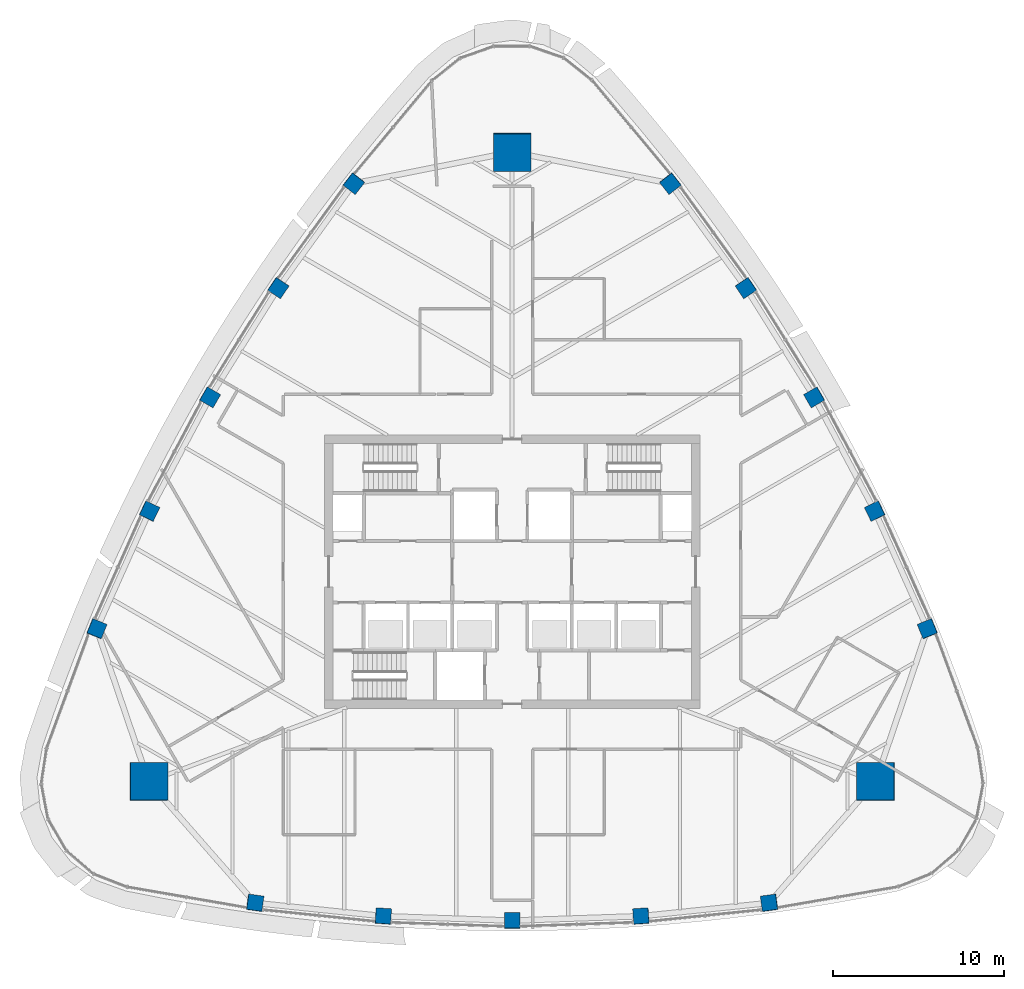
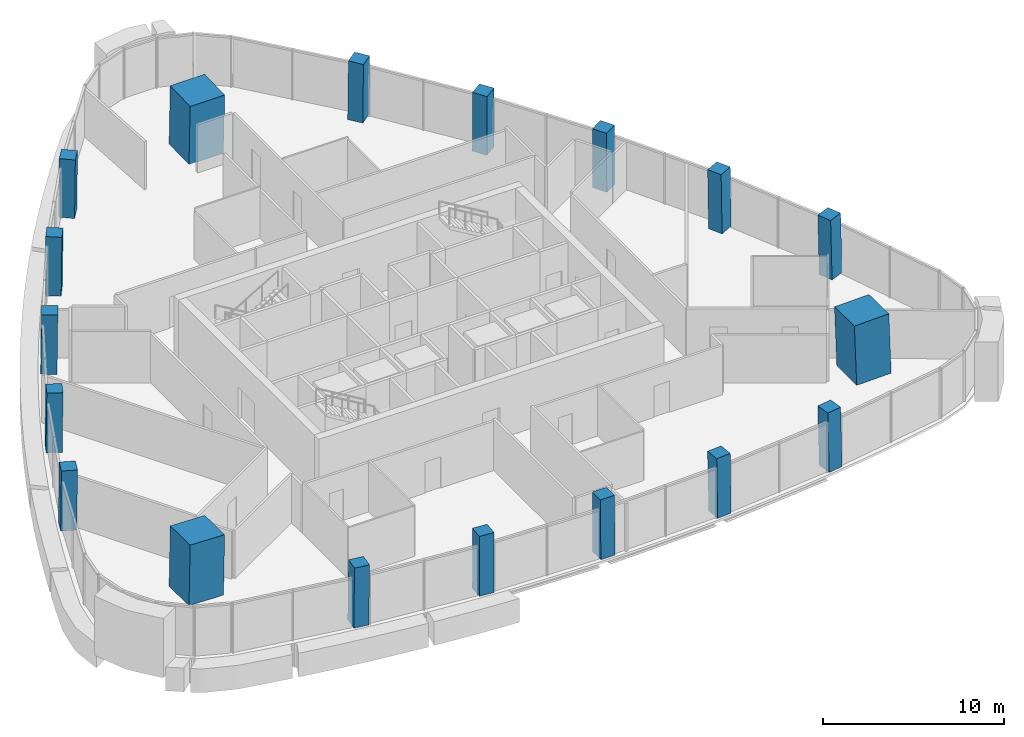
# One storey, part 1 of 15: 18 columns.
"""IFC4 building model written with IfcOpenShell, lengths in metres."""

from ifc_helpers import new_model, si_unit, direction, frame, origin, origin_2d, place, context, subcontext, project, spatial, rectangle, extrude, material, material_profile, profile_set, type_object, element, save


model = new_model("IFC4")

# Units and contexts
model_context = context("Model", 3, precision=1e-05, world=origin(), true_north=direction((0.0, 1.0)))
body_context = subcontext(model_context, "Body", "Model", "MODEL_VIEW")
ifc_project = project(units=[si_unit("LENGTHUNIT", "METRE"), si_unit("AREAUNIT", "SQUARE_METRE"), si_unit("VOLUMEUNIT", "CUBIC_METRE"), si_unit("PLANEANGLEUNIT", "RADIAN"), si_unit("MASSUNIT", "GRAM", prefix="KILO")], contexts=[model_context])

# Site, building, storey
site_placement = place(None, origin())
site = spatial("IfcSite", under=ifc_project, at=site_placement, CompositionType="ELEMENT")
building_placement = place(site_placement, origin())
building = spatial("IfcBuilding", under=site, at=building_placement, Name="Sierra Prisma Convention Tower", CompositionType="ELEMENT")
storey_placement = place(building_placement, frame((0.0, 0.0, 267.0)))
storey = spatial("IfcBuildingStorey", under=building, at=storey_placement, Name="L60", CompositionType="ELEMENT", Elevation=267.0)

# Columns
ifc_material_1 = material(Name="Concrete C50/60", Category="concrete")
ifc_material_profile_1 = material_profile(ifc_material_1, rectangle(XDim=2.199951171875, YDim=2.199951171875, at=origin_2d()), Name="Mega column RC 2200 C50/60")
ifc_profile_set_1 = profile_set([ifc_material_profile_1], Name="Concrete C50/60")
column_type_1 = type_object("IfcColumnType", Name="Mega column RC 2200 C50/60", PredefinedType="COLUMN", material=ifc_profile_set_1)
for number, where, z_axis, x_axis, name in (
    (1, (21.289306640625, -12.291259765625, 0.0), (-0.027817676907, 0.016043967164, 0.999484250986), (0.999613013546, 0.000446478676, 0.027814093645), "Mega column SE L60"),
    (2, (0.0, 24.58251953125, 0.0), (0.0, -0.032087959942, 0.999485048826), (1.0, 0.0, 0.0), "Mega column N L60"),
    (3, (-21.289306640625, -12.291259765625, 0.0), (0.027817676907, 0.016043967164, 0.999484250986), (0.999613013546, -0.000446478676, -0.027814093645), "Mega column SW L60"),
):
    element("IfcColumn", number, at=place(storey_placement, frame(where, z_axis=z_axis, x_axis=x_axis)), inside=storey, type_object=column_type_1, Name=name, PredefinedType="COLUMN", context=body_context, shape_type="SweptSolid", body=[
        extrude(rectangle(XDim=2.199951171875, YDim=2.199951171875, at=origin_2d()), origin(), (0.0, 0.0, 1.0), 4.001953125),
    ])
ifc_material_2 = material(Name="Concrete C50/60", Category="concrete")
ifc_material_profile_2 = material_profile(ifc_material_2, rectangle(XDim=0.89990234375, YDim=0.89990234375, at=origin_2d()), Name="Perimeter column RC 900 C50/60")
ifc_profile_set_2 = profile_set([ifc_material_profile_2], Name="Concrete C50/60")
column_type_2 = type_object("IfcColumnType", Name="Perimeter column RC 900 C50/60", PredefinedType="COLUMN", material=ifc_profile_set_2)
column_1_placement = place(storey_placement, frame((-15.06103515625, -19.397216796875, 0.0), z_axis=(0.017513460473, 0.010373826761, 0.999792809746), x_axis=(-0.990460641206, 0.136872055139, 0.015929806803)))
element("IfcColumn", 4, at=column_1_placement, inside=storey, type_object=column_type_2, Name="Perimeter column S-1 L60", PredefinedType="COLUMN", context=body_context, shape_type="SweptSolid", body=[
    extrude(rectangle(XDim=0.89990234375, YDim=0.89990234375, at=origin_2d()), origin(), (0.0, 0.0, 1.0), 4.000732421875),
])
column_2_placement = place(storey_placement, frame((-7.548095703125, -20.172607421875, 0.0), z_axis=(0.008727150594, 0.011168311599, 0.999899547784), x_axis=(-0.99761245007, 0.068602777077, 0.00794093458)))
element("IfcColumn", 5, at=column_2_placement, inside=storey, type_object=column_type_2, Name="Perimeter column S-2 L60", PredefinedType="COLUMN", context=body_context, shape_type="SweptSolid", body=[
    extrude(rectangle(XDim=0.89990234375, YDim=0.89990234375, at=origin_2d()), origin(), (0.0, 0.0, 1.0), 4.00048828125),
])
column_3_placement = place(storey_placement, frame((0.0, -20.431396484375, 0.0), z_axis=(0.0, 0.01141283087, 0.999934871525), x_axis=(1.0, 0.0, 0.0)))
element("IfcColumn", 6, at=column_3_placement, inside=storey, type_object=column_type_2, Name="Perimeter column S-3 L60", PredefinedType="COLUMN", context=body_context, shape_type="SweptSolid", body=[
    extrude(rectangle(XDim=0.89990234375, YDim=0.89990234375, at=origin_2d()), origin(), (0.0, 0.0, 1.0), 4.000244140625),
])
column_4_placement = place(storey_placement, frame((7.548095703125, -20.172607421875, 0.0), z_axis=(-0.008727150594, 0.011168311599, 0.999899547784), x_axis=(0.99761245007, 0.068602777077, 0.00794093458)))
element("IfcColumn", 7, at=column_4_placement, inside=storey, type_object=column_type_2, Name="Perimeter column S-4 L60", PredefinedType="COLUMN", context=body_context, shape_type="SweptSolid", body=[
    extrude(rectangle(XDim=0.89990234375, YDim=0.89990234375, at=origin_2d()), origin(), (0.0, 0.0, 1.0), 4.00048828125),
])
for number, where, z_axis, x_axis, name in (
    (8, (15.06103515625, -19.397216796875, 0.0), (-0.017513460473, 0.010373826761, 0.999792809746), (0.990460641206, 0.136872055139, 0.015929806803), "Perimeter column S-5 L60"),
    (9, (24.328857421875, -3.344482421875, 0.0), (-0.017757551143, 0.009946669541, 0.999792845115), (-0.376861693588, 0.926132938269, -0.015907374376), "Perimeter column NE-1 L60"),
):
    element("IfcColumn", number, at=place(storey_placement, frame(where, z_axis=z_axis, x_axis=x_axis)), inside=storey, type_object=column_type_2, Name=name, PredefinedType="COLUMN", context=body_context, shape_type="SweptSolid", body=[
        extrude(rectangle(XDim=0.89990234375, YDim=0.89990234375, at=origin_2d()), origin(), (0.0, 0.0, 1.0), 4.000732421875),
    ])
column_5_placement = place(storey_placement, frame((21.244140625, 3.54931640625, 0.0), z_axis=(-0.014097691364, 0.002013955909, 0.999898594398), x_axis=(-0.439450311586, 0.8982312302, -0.008005044713)))
element("IfcColumn", 10, at=column_5_placement, inside=storey, type_object=column_type_2, Name="Perimeter column NE-2 L60", PredefinedType="COLUMN", context=body_context, shape_type="SweptSolid", body=[
    extrude(rectangle(XDim=0.89990234375, YDim=0.89990234375, at=origin_2d()), origin(), (0.0, 0.0, 1.0), 4.00048828125),
])
column_6_placement = place(storey_placement, frame((17.694091796875, 10.2158203125, 0.0), z_axis=(-0.009887049298, -0.00573692984, 0.999934664812), x_axis=(-0.499975560967, 0.866039512843, 2.5126546e-05)))
element("IfcColumn", 11, at=column_6_placement, inside=storey, type_object=column_type_2, Name="Perimeter column NE-3 L60", PredefinedType="COLUMN", context=body_context, shape_type="SweptSolid", body=[
    extrude(rectangle(XDim=0.89990234375, YDim=0.89990234375, at=origin_2d()), origin(), (0.0, 0.0, 1.0), 4.000244140625),
])
column_7_placement = place(storey_placement, frame((13.69580078125, 16.623291015625, 0.0), z_axis=(-0.005248495047, -0.01318226663, 0.999899335506), x_axis=(-0.558148767809, 0.829702243805, 0.008008721352)))
element("IfcColumn", 12, at=column_7_placement, inside=storey, type_object=column_type_2, Name="Perimeter column NE-4 L60", PredefinedType="COLUMN", context=body_context, shape_type="SweptSolid", body=[
    extrude(rectangle(XDim=0.89990234375, YDim=0.89990234375, at=origin_2d()), origin(), (0.0, 0.0, 1.0), 4.00048828125),
])
for number, where, z_axis, x_axis, name in (
    (13, (9.267822265625, 22.74169921875, 0.0), (-0.000244090207, -0.020320509722, 0.999793487329), (-0.613691429901, 0.78938596574, 0.015894211479), "Perimeter column NE-5 L60"),
    (14, (-9.267822265625, 22.74169921875, 0.0), (0.000244090207, -0.020320509722, 0.999793487329), (0.613691429901, 0.78938596574, 0.015894211479), "Perimeter column NW-1 L60"),
):
    element("IfcColumn", number, at=place(storey_placement, frame(where, z_axis=z_axis, x_axis=x_axis)), inside=storey, type_object=column_type_2, Name=name, PredefinedType="COLUMN", context=body_context, shape_type="SweptSolid", body=[
        extrude(rectangle(XDim=0.89990234375, YDim=0.89990234375, at=origin_2d()), origin(), (0.0, 0.0, 1.0), 4.000732421875),
    ])
column_8_placement = place(storey_placement, frame((-13.69580078125, 16.623291015625, 0.0), z_axis=(0.005248495047, -0.01318226663, 0.999899335506), x_axis=(0.558148767809, 0.829702243805, 0.008008721352)))
element("IfcColumn", 15, at=column_8_placement, inside=storey, type_object=column_type_2, Name="Perimeter column NW-2 L60", PredefinedType="COLUMN", context=body_context, shape_type="SweptSolid", body=[
    extrude(rectangle(XDim=0.89990234375, YDim=0.89990234375, at=origin_2d()), origin(), (0.0, 0.0, 1.0), 4.00048828125),
])
column_9_placement = place(storey_placement, frame((-17.694091796875, 10.2158203125, 0.0), z_axis=(0.009887049298, -0.00573692984, 0.999934664812), x_axis=(0.499975560967, 0.866039512843, 2.5126546e-05)))
element("IfcColumn", 16, at=column_9_placement, inside=storey, type_object=column_type_2, Name="Perimeter column NW-3 L60", PredefinedType="COLUMN", context=body_context, shape_type="SweptSolid", body=[
    extrude(rectangle(XDim=0.89990234375, YDim=0.89990234375, at=origin_2d()), origin(), (0.0, 0.0, 1.0), 4.000244140625),
])
column_10_placement = place(storey_placement, frame((-21.244140625, 3.54931640625, 0.0), z_axis=(0.014097691364, 0.002013955909, 0.999898594398), x_axis=(0.439450311586, 0.8982312302, -0.008005044713)))
element("IfcColumn", 17, at=column_10_placement, inside=storey, type_object=column_type_2, Name="Perimeter column NW-4 L60", PredefinedType="COLUMN", context=body_context, shape_type="SweptSolid", body=[
    extrude(rectangle(XDim=0.89990234375, YDim=0.89990234375, at=origin_2d()), origin(), (0.0, 0.0, 1.0), 4.00048828125),
])
column_11_placement = place(storey_placement, frame((-24.328857421875, -3.344482421875, 0.0), z_axis=(0.017757551143, 0.009946669541, 0.999792845115), x_axis=(0.376861693588, 0.926132938269, -0.015907374376)))
element("IfcColumn", 18, at=column_11_placement, inside=storey, type_object=column_type_2, Name="Perimeter column NW-5 L60", PredefinedType="COLUMN", context=body_context, shape_type="SweptSolid", body=[
    extrude(rectangle(XDim=0.89990234375, YDim=0.89990234375, at=origin_2d()), origin(), (0.0, 0.0, 1.0), 4.000732421875),
])

save(model, "model.ifc")
